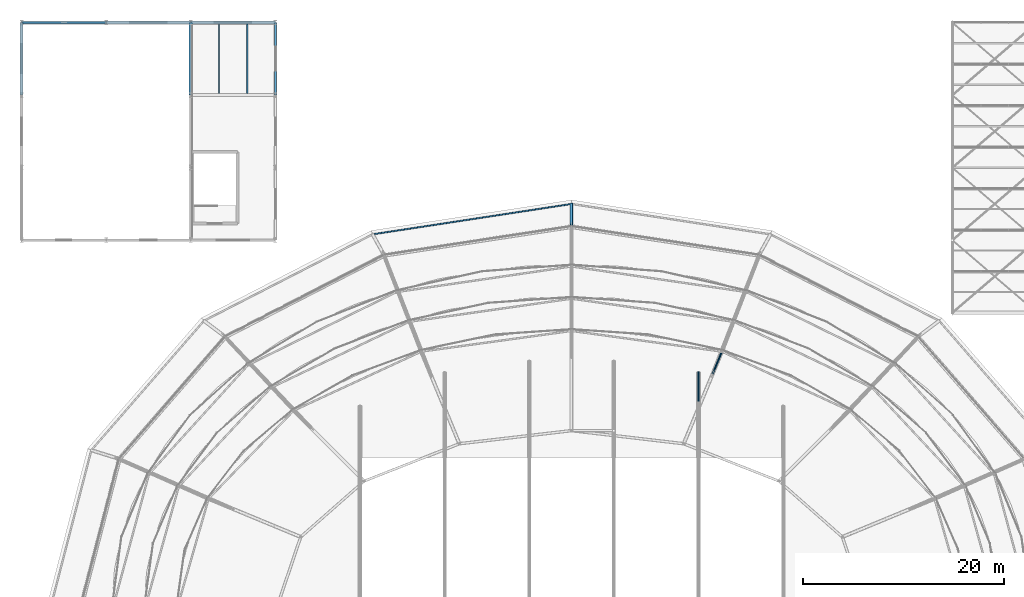
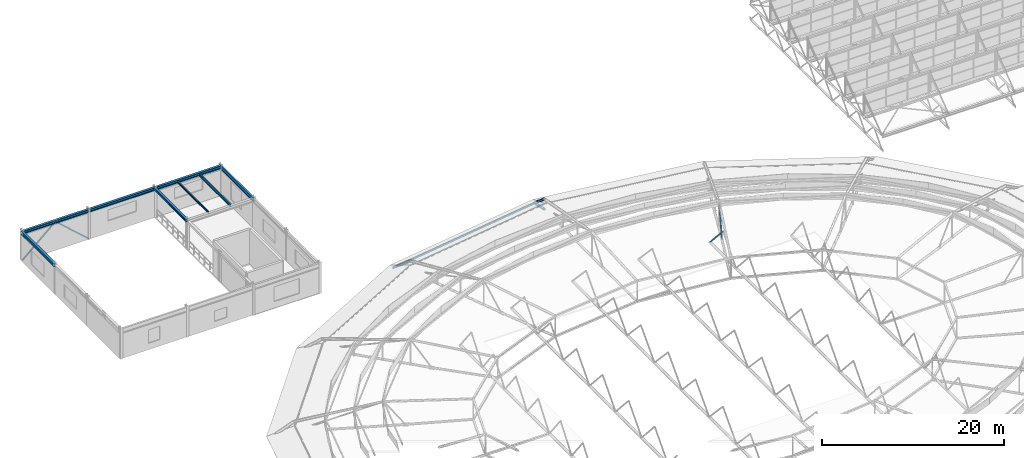
# One storey, part 46 of 134: 9 beams, 6 members.
"""IFC4 building model written with IfcOpenShell, lengths in metres."""

from ifc_helpers import new_model, si_unit, derived_unit, direction, frame, origin, origin_2d, place, context, subcontext, project, spatial, hollow_rectangle, hollow_circle, i_section, extrude, material, material_profile, profile_set, type_object, element, save


model = new_model("IFC4")

# Units and contexts
model_context = context("Model", 3, precision=1e-05, world=origin(), true_north=direction((0.0, 1.0)))
body_context = subcontext(model_context, "Body", "Model", "MODEL_VIEW")
ifc_project = project(units=[si_unit("LENGTHUNIT", "METRE"), si_unit("AREAUNIT", "SQUARE_METRE"), si_unit("VOLUMEUNIT", "CUBIC_METRE"), si_unit("PLANEANGLEUNIT", "RADIAN"), si_unit("MASSUNIT", "GRAM", prefix="KILO"), derived_unit("THERMALTRANSMITTANCEUNIT", [(si_unit("MASSUNIT", "GRAM", prefix="KILO"), 1), (si_unit("TIMEUNIT", "SECOND"), -3), (si_unit("THERMODYNAMICTEMPERATUREUNIT", "KELVIN"), -1)])], contexts=[model_context])

# Site, building, storey
site_placement = place(None, origin())
site = spatial("IfcSite", under=ifc_project, at=site_placement, CompositionType="ELEMENT")
building_placement = place(site_placement, origin())
building = spatial("IfcBuilding", under=site, at=building_placement, Name="Kharveza Railside Sports Centre", CompositionType="ELEMENT")
storey_placement = place(building_placement, frame((0.0, 0.0, 12.89990234375)))
storey = spatial("IfcBuildingStorey", under=building, at=storey_placement, Name="L03", CompositionType="ELEMENT", Elevation=12.89990234375)

# Beams
ifc_material = material(Name="Steel S355J2", Category="steel")
ifc_material_profile_1 = material_profile(ifc_material, i_section(OverallWidth=0.199951171875, OverallDepth=0.5, WebThickness=0.01025390625, FlangeThickness=0.01611328125, FilletRadius=0.02099609375, at=origin_2d()), Name="IPE 500")
ifc_profile_set_1 = profile_set([ifc_material_profile_1], Name="Steel S355J2")
beam_type_1 = type_object("IfcBeamType", Name="BM-G03", PredefinedType="T_BEAM", material=ifc_profile_set_1)
beam_1_placement = place(storey_placement, frame((25.199951171875, 100.800048828125, 3.710205078125), z_axis=(0.0, 1.0, 0.0), x_axis=(-1.0, 0.0, 0.0)))
element("IfcBeam", 1, at=beam_1_placement, inside=storey, type_object=beam_type_1, Name="BM-NS-L03-B03-X252-Y1008", PredefinedType="T_BEAM", context=body_context, shape_type="SweptSolid", body=[
    extrude(i_section(OverallWidth=0.199951171875, OverallDepth=0.5, WebThickness=0.01025390625, FlangeThickness=0.01611328125, FilletRadius=0.02099609375, at=origin_2d()), origin(), (0.0, 0.0, 1.0), 7.199951171875),
])
ifc_material_profile_2 = material_profile(ifc_material, i_section(OverallWidth=0.169921875, OverallDepth=0.360107421875, WebThickness=0.008056640625, FlangeThickness=0.0126953125, FilletRadius=0.01806640625, at=origin_2d()), Name="IPE 360")
ifc_profile_set_2 = profile_set([ifc_material_profile_2], Name="Steel S355J2")
beam_type_2 = type_object("IfcBeamType", Name="BM-S02", PredefinedType="BEAM", material=ifc_profile_set_2)
beam_2_placement = place(storey_placement, frame((22.39990234375, 100.947021484375, 3.780029296875), z_axis=(0.0, 1.0, 0.0), x_axis=(-1.0, 0.0, 0.0)))
element("IfcBeam", 2, at=beam_2_placement, inside=storey, type_object=beam_type_2, Name="BM-SEC-L03-B10-X224-Y1008", PredefinedType="BEAM", context=body_context, shape_type="SweptSolid", body=[
    extrude(i_section(OverallWidth=0.169921875, OverallDepth=0.360107421875, WebThickness=0.008056640625, FlangeThickness=0.0126953125, FilletRadius=0.01806640625, at=origin_2d()), origin(), (0.0, 0.0, 1.0), 6.906005859375),
])
ifc_material_profile_3 = material_profile(ifc_material, i_section(OverallWidth=0.135009765625, OverallDepth=0.27001953125, WebThickness=0.006591796875, FlangeThickness=0.01025390625, FilletRadius=0.014892578125, at=origin_2d()), Name="IPE 270")
ifc_profile_set_3 = profile_set([ifc_material_profile_3], Name="Steel S355J2")
beam_type_3 = type_object("IfcBeamType", Name="BM-S05", PredefinedType="BEAM", material=ifc_profile_set_3)
beam_3_placement = place(storey_placement, frame((19.60009765625, 100.947021484375, 3.8251953125), z_axis=(0.0, 1.0, 0.0), x_axis=(-1.0, 0.0, 0.0)))
element("IfcBeam", 3, at=beam_3_placement, inside=storey, type_object=beam_type_3, Name="BM-SEC-L03-B13-X196-Y1008", PredefinedType="BEAM", context=body_context, shape_type="SweptSolid", body=[
    extrude(i_section(OverallWidth=0.135009765625, OverallDepth=0.27001953125, WebThickness=0.006591796875, FlangeThickness=0.01025390625, FilletRadius=0.014892578125, at=origin_2d()), origin(), (0.0, 0.0, 1.0), 6.906005859375),
])
ifc_material_profile_4 = material_profile(ifc_material, i_section(OverallWidth=0.300048828125, OverallDepth=0.31005859375, WebThickness=0.009033203125, FlangeThickness=0.015380859375, FilletRadius=0.027099609375, at=origin_2d()), Name="HEA 320")
ifc_profile_set_4 = profile_set([ifc_material_profile_4], Name="Steel S355J2")
beam_type_4 = type_object("IfcBeamType", Name="BM-S06", PredefinedType="BEAM", material=ifc_profile_set_4)
beam_4_placement = place(storey_placement, frame((16.800048828125, 100.800048828125, 3.80517578125), z_axis=(0.0, 1.0, 0.0), x_axis=(-1.0, 0.0, 0.0)))
element("IfcBeam", 4, at=beam_4_placement, inside=storey, type_object=beam_type_4, Name="BM-NS-L03-B14-X168-Y1008", PredefinedType="BEAM", context=body_context, shape_type="SweptSolid", body=[
    extrude(i_section(OverallWidth=0.300048828125, OverallDepth=0.31005859375, WebThickness=0.009033203125, FlangeThickness=0.015380859375, FilletRadius=0.027099609375, at=origin_2d()), origin(), (0.0, 0.0, 1.0), 7.199951171875),
])
ifc_material_profile_5 = material_profile(ifc_material, i_section(OverallWidth=0.300048828125, OverallDepth=0.43994140625, WebThickness=0.011474609375, FlangeThickness=0.02099609375, FilletRadius=0.027099609375, at=origin_2d()), Name="HEA 450")
ifc_profile_set_5 = profile_set([ifc_material_profile_5], Name="Steel S355J2")
beam_type_5 = type_object("IfcBeamType", Name="BM-SP01", PredefinedType="SPANDREL", material=ifc_profile_set_5)
beam_5_placement = place(storey_placement, frame((0.0, 100.800048828125, 3.739990234375), z_axis=(0.0, 1.0, 0.0), x_axis=(-1.0, 0.0, 0.0)))
element("IfcBeam", 5, at=beam_5_placement, inside=storey, type_object=beam_type_5, Name="BM-NS-L03-B15-X0-Y1008", PredefinedType="SPANDREL", context=body_context, shape_type="SweptSolid", body=[
    extrude(i_section(OverallWidth=0.300048828125, OverallDepth=0.43994140625, WebThickness=0.011474609375, FlangeThickness=0.02099609375, FilletRadius=0.027099609375, at=origin_2d()), origin(), (0.0, 0.0, 1.0), 7.199951171875),
])
ifc_material_profile_6 = material_profile(ifc_material, i_section(OverallWidth=0.300048828125, OverallDepth=0.389892578125, WebThickness=0.010986328125, FlangeThickness=0.01904296875, FilletRadius=0.027099609375, at=origin_2d()), Name="HEA 400")
ifc_profile_set_6 = profile_set([ifc_material_profile_6], Name="Steel S355J2")
beam_type_6 = type_object("IfcBeamType", Name="BM-SP02", PredefinedType="SPANDREL", material=ifc_profile_set_6)
beam_6_placement = place(storey_placement, frame((0.0, 108.0, 3.76513671875), z_axis=(1.0, 0.0, 0.0), x_axis=(0.0, 1.0, 0.0)))
element("IfcBeam", 6, at=beam_6_placement, inside=storey, type_object=beam_type_6, Name="BM-EW-L03-B16-X0-Y1080", PredefinedType="SPANDREL", context=body_context, shape_type="SweptSolid", body=[
    extrude(i_section(OverallWidth=0.300048828125, OverallDepth=0.389892578125, WebThickness=0.010986328125, FlangeThickness=0.01904296875, FilletRadius=0.027099609375, at=origin_2d()), origin(), (0.0, 0.0, 1.0), 8.39990234375),
])
beam_7_placement = place(storey_placement, frame((8.39990234375, 108.0, 3.76513671875), z_axis=(1.0, 0.0, 0.0), x_axis=(0.0, 1.0, 0.0)))
element("IfcBeam", 7, at=beam_7_placement, inside=storey, type_object=beam_type_6, Name="BM-EW-L03-B16-X84-Y1080", PredefinedType="SPANDREL", context=body_context, shape_type="SweptSolid", body=[
    extrude(i_section(OverallWidth=0.300048828125, OverallDepth=0.389892578125, WebThickness=0.010986328125, FlangeThickness=0.01904296875, FilletRadius=0.027099609375, at=origin_2d()), origin(), (0.0, 0.0, 1.0), 8.400146484375),
])
beam_8_placement = place(storey_placement, frame((16.800048828125, 108.0, 3.76513671875), z_axis=(1.0, 0.0, 0.0), x_axis=(0.0, 1.0, 0.0)))
element("IfcBeam", 8, at=beam_8_placement, inside=storey, type_object=beam_type_6, Name="BM-EW-L03-B16-X168-Y1080", PredefinedType="SPANDREL", context=body_context, shape_type="SweptSolid", body=[
    extrude(i_section(OverallWidth=0.300048828125, OverallDepth=0.389892578125, WebThickness=0.010986328125, FlangeThickness=0.01904296875, FilletRadius=0.027099609375, at=origin_2d()), origin(), (0.0, 0.0, 1.0), 8.39990234375),
])
ifc_material_profile_7 = material_profile(ifc_material, hollow_rectangle(XDim=0.14990234375, YDim=0.25, WallThickness=0.010009765625, InnerFilletRadius=0.010009765625, OuterFilletRadius=0.02001953125, at=origin_2d()), Name="RHS 150x250x10.0")
ifc_profile_set_7 = profile_set([ifc_material_profile_7], Name="Steel S355J2")
beam_type_7 = type_object("IfcBeamType", Name="BM-SP04", PredefinedType="SPANDREL", material=ifc_profile_set_7)
beam_9_placement = place(storey_placement, frame((54.60009765625, 90.0, -0.47998046875), z_axis=(-0.988548071569, -0.150906296081, 0.0), x_axis=(0.150906296081, -0.988548071569, 0.0)))
element("IfcBeam", 9, at=beam_9_placement, inside=storey, type_object=beam_type_7, Name="BM-LIDRING-RIM-05", PredefinedType="SPANDREL", context=body_context, shape_type="SweptSolid", body=[
    extrude(hollow_rectangle(XDim=0.14990234375, YDim=0.25, WallThickness=0.010009765625, InnerFilletRadius=0.010009765625, OuterFilletRadius=0.02001953125, at=origin_2d()), origin(), (0.0, 0.0, 1.0), 19.975341796875),
])

# Members
ifc_material_profile_8 = material_profile(ifc_material, hollow_rectangle(XDim=0.14990234375, YDim=0.14990234375, WallThickness=0.008056640625, InnerFilletRadius=0.008056640625, OuterFilletRadius=0.01611328125, at=origin_2d()), Name="SHS 150x150x8.0")
ifc_profile_set_8 = profile_set([ifc_material_profile_8], Name="Steel S355J2")
member_type_1 = type_object("IfcMemberType", Name="MB-BR02", PredefinedType="BRACE", material=ifc_profile_set_8)
for number, where, z_axis, x_axis, name in (
    (10, (0.0, 108.0, 0.0), (0.745933814853, 0.0, 0.666020077669), (0.0, 1.0, 0.0), "MB-CHEV-EW-013A"),
    (11, (8.39990234375, 108.0, 0.0), (-0.745933814853, 0.0, 0.666020077669), (0.0, -1.0, 0.0), "MB-CHEV-EW-013B"),
):
    element("IfcMember", number, at=place(storey_placement, frame(where, z_axis=z_axis, x_axis=x_axis)), inside=storey, type_object=member_type_1, Name=name, PredefinedType="BRACE", context=body_context, shape_type="SweptSolid", body=[
        extrude(hollow_rectangle(XDim=0.14990234375, YDim=0.14990234375, WallThickness=0.008056640625, InnerFilletRadius=0.008056640625, OuterFilletRadius=0.01611328125, at=origin_2d()), origin(), (0.0, 0.0, 1.0), 5.63037109375),
    ])
ifc_material_profile_9 = material_profile(ifc_material, hollow_circle(Radius=0.161865234375, WallThickness=0.01611328125, at=origin_2d()), Name="CHS 323.9x16.0")
ifc_profile_set_9 = profile_set([ifc_material_profile_9], Name="Steel S355J2")
member_type_2 = type_object("IfcMemberType", Name="MB-CH02", PredefinedType="CHORD", material=ifc_profile_set_9)
member_1_placement = place(storey_placement, frame((54.60009765625, 87.89990234375, -0.0498046875), z_axis=(0.0, 0.979658995071, -0.200669512824), x_axis=(-1.0, 0.0, 0.0)))
element("IfcMember", 12, at=member_1_placement, inside=storey, type_object=member_type_2, Name="MB-OUT-BC3-05", PredefinedType="CHORD", context=body_context, shape_type="SweptSolid", body=[
    extrude(hollow_circle(Radius=0.161865234375, WallThickness=0.01611328125, at=origin_2d()), origin(), (0.0, 0.0, 1.0), 2.143798828125),
])
member_2_placement = place(storey_placement, frame((54.60009765625, 87.89990234375, 1.300048828125), z_axis=(0.0, 0.762844443922, -0.64658205541), x_axis=(-1.0, 0.0, 0.0)))
element("IfcMember", 13, at=member_2_placement, inside=storey, type_object=member_type_2, Name="MB-OUT-TC3-05", PredefinedType="CHORD", context=body_context, shape_type="SweptSolid", body=[
    extrude(hollow_circle(Radius=0.161865234375, WallThickness=0.01611328125, at=origin_2d()), origin(), (0.0, 0.0, 1.0), 2.7529296875),
])
ifc_material_profile_10 = material_profile(ifc_material, hollow_circle(Radius=0.096923828125, WallThickness=0.010009765625, at=origin_2d()), Name="CHS 193.7x10.0")
ifc_profile_set_10 = profile_set([ifc_material_profile_10], Name="Steel S355J2")
member_type_3 = type_object("IfcMemberType", Name="MB-ST02", PredefinedType="STRUT", material=ifc_profile_set_10)
member_3_placement = place(storey_placement, frame((68.606201171875, 73.12744140625, -0.0498046875), z_axis=(0.225096955805, 0.543415883206, 0.80872154563), x_axis=(-0.923875488976, 0.382693194178, 0.0)))
element("IfcMember", 14, at=member_3_placement, inside=storey, type_object=member_type_3, Name="MB-OUT-WEB-04-2", PredefinedType="STRUT", context=body_context, shape_type="SweptSolid", body=[
    extrude(hollow_circle(Radius=0.096923828125, WallThickness=0.010009765625, at=origin_2d()), origin(), (0.0, 0.0, 1.0), 4.080322265625),
])
member_4_placement = place(storey_placement, frame((67.199951171875, 70.450927734375, 3.150146484375), z_axis=(0.0, 0.666974298635, -0.745080723788), x_axis=(-1.0, 0.0, 0.0)))
element("IfcMember", 15, at=member_4_placement, inside=storey, type_object=member_type_3, Name="MB-V1TR-D2-5-8", PredefinedType="STRUT", context=body_context, shape_type="SweptSolid", body=[
    extrude(hollow_circle(Radius=0.096923828125, WallThickness=0.010009765625, at=origin_2d()), origin(), (0.0, 0.0, 1.0), 4.294677734375),
])

save(model, "model.ifc")
